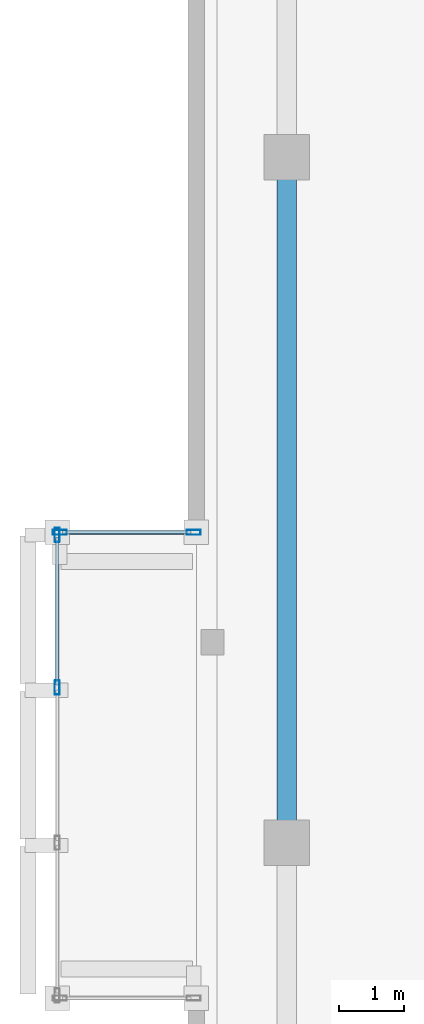
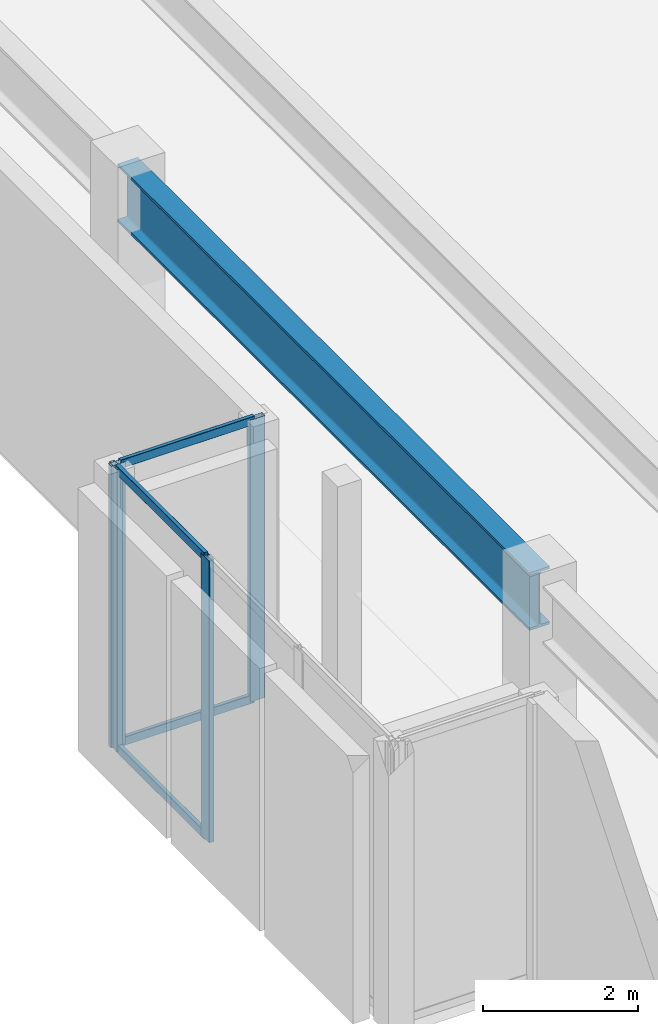
# One storey, part 4 of 16: 8 members, 1 beam, 2 elements without a shape of their own.
"""IFC4 building model written with IfcOpenShell, lengths in metres."""

from ifc_helpers import new_model, si_unit, direction, frame, origin, origin_2d, place, context, subcontext, project, spatial, hollow_rectangle, i_section, extrude, material, layer, layer_set, material_profile, profile_set, type_object, element, aggregate, save


model = new_model("IFC4")

# Units and contexts
model_context = context("Model", 3, precision=1e-05, world=origin(), true_north=direction((0.0, 1.0)))
body_context = subcontext(model_context, "Body", "Model", "MODEL_VIEW")
ifc_project = project(units=[si_unit("LENGTHUNIT", "METRE"), si_unit("AREAUNIT", "SQUARE_METRE"), si_unit("VOLUMEUNIT", "CUBIC_METRE"), si_unit("PLANEANGLEUNIT", "RADIAN"), si_unit("MASSUNIT", "GRAM", prefix="KILO")], contexts=[model_context])

# Site, building, storey
site_placement = place(None, origin())
site = spatial("IfcSite", under=ifc_project, at=site_placement, CompositionType="ELEMENT")
building_placement = place(site_placement, origin())
building = spatial("IfcBuilding", under=site, at=building_placement, Name="An Khanh Terracotta Commons", CompositionType="ELEMENT")
storey_placement = place(building_placement, frame((0.0, 0.0, 5.39990234375)))
storey = spatial("IfcBuildingStorey", under=building, at=storey_placement, Name="L02", CompositionType="ELEMENT", Elevation=5.39990234375)

# Beam
ifc_material_1 = material(Name="Steel S460ML", Category="steel")
ifc_material_profile_1 = material_profile(ifc_material_1, i_section(OverallWidth=0.302001953125, OverallDepth=0.909912109375, WebThickness=0.02099609375, FlangeThickness=0.0400390625, FilletRadius=0.030029296875, at=origin_2d()), Name="HEM900")
ifc_profile_set_1 = profile_set([ifc_material_profile_1], Name="Steel S460ML")
beam_type = type_object("IfcBeamType", Name="BM-HEM900", PredefinedType="BEAM", material=ifc_profile_set_1)
beam_placement = place(storey_placement, frame((3.0, 14.39990234375, 3.97509765625), z_axis=(0.0, 1.0, 0.0), x_axis=(-1.0, 0.0, 0.0)))
element("IfcBeam", 1, at=beam_placement, inside=storey, type_object=beam_type, Name="L02 Primary Podium Girder 2", PredefinedType="BEAM", context=body_context, shape_type="SweptSolid", body=[
    extrude(i_section(OverallWidth=0.302001953125, OverallDepth=0.909912109375, WebThickness=0.02099609375, FlangeThickness=0.0400390625, FilletRadius=0.030029296875, at=origin_2d()), origin(), (0.0, 0.0, 1.0), 10.60009765625),
])

# Curtain wall, members
ifc_material_2 = material(Name="Anodised Aluminium 6063-T6", Category="aluminium")
ifc_layer = layer(ifc_material_2, 0.239990234375, Name="Anodised Aluminium 6063-T6")
ifc_layer_set = layer_set([ifc_layer], Name="Anodised Aluminium 6063-T6")
curtain_wall_type = type_object("IfcCurtainWallType", Name="CW-SYS-04", PredefinedType="USERDEFINED", material=ifc_layer_set)
curtain_wall_1_placement = place(storey_placement, origin())
curtain_wall_1 = element("IfcCurtainWall", 2, at=curtain_wall_1_placement, inside=storey, type_object=curtain_wall_type, Name="L02 CW-04 Unitised Curtain Wall CW-L02-WBOX-1", ObjectType="UNITISED CURTAIN WALL", PredefinedType="USERDEFINED")
ifc_material_profile_2 = material_profile(ifc_material_2, hollow_rectangle(XDim=0.080078125, YDim=0.219970703125, WallThickness=0.0048828125, InnerFilletRadius=0.0048828125, OuterFilletRadius=0.010009765625, at=origin_2d()), Name="RHS220x80x5")
ifc_profile_set_2 = profile_set([ifc_material_profile_2], Name="Anodised Aluminium 6063-T6")
member_type_1 = type_object("IfcMemberType", Name="CWM-RHS220x80x5", PredefinedType="MULLION", material=ifc_profile_set_2)
member_1_placement = place(storey_placement, frame((-0.550048828125, 19.159912109375, 0.0), z_axis=(0.0, 0.0, 1.0), x_axis=(1.0, 0.0, 0.0)))
member_1 = element("IfcMember", 3, at=member_1_placement, type_object=member_type_1, Name="CW-04 mullion 1", PredefinedType="MULLION", context=body_context, shape_type="SweptSolid", body=[
    extrude(hollow_rectangle(XDim=0.080078125, YDim=0.219970703125, WallThickness=0.0048828125, InnerFilletRadius=0.0048828125, OuterFilletRadius=0.010009765625, at=origin_2d()), origin(), (0.0, 0.0, 1.0), 4.43017578125),
])
member_2_placement = place(storey_placement, frame((-0.550048828125, 16.800048828125, 0.0), z_axis=(0.0, 0.0, 1.0), x_axis=(1.0, 0.0, 0.0)))
member_2 = element("IfcMember", 4, at=member_2_placement, type_object=member_type_1, Name="CW-04 mullion 2", PredefinedType="MULLION", context=body_context, shape_type="SweptSolid", body=[
    extrude(hollow_rectangle(XDim=0.080078125, YDim=0.219970703125, WallThickness=0.0048828125, InnerFilletRadius=0.0048828125, OuterFilletRadius=0.010009765625, at=origin_2d()), origin(), (0.0, 0.0, 1.0), 4.43017578125),
])

curtain_wall_2_placement = place(storey_placement, origin())
curtain_wall_2 = element("IfcCurtainWall", 5, at=curtain_wall_2_placement, inside=storey, type_object=curtain_wall_type, Name="L02 CW-04 Unitised Curtain Wall CW-L02-WBOX-3", ObjectType="UNITISED CURTAIN WALL", PredefinedType="USERDEFINED")
member_3_placement = place(storey_placement, frame((-0.510009765625, 19.199951171875, 0.0), z_axis=(0.0, 0.0, 1.0), x_axis=(0.0, 1.0, 0.0)))
member_3 = element("IfcMember", 6, at=member_3_placement, type_object=member_type_1, Name="CW-04 mullion 1", PredefinedType="MULLION", context=body_context, shape_type="SweptSolid", body=[
    extrude(hollow_rectangle(XDim=0.080078125, YDim=0.219970703125, WallThickness=0.0048828125, InnerFilletRadius=0.0048828125, OuterFilletRadius=0.010009765625, at=origin_2d()), origin(), (0.0, 0.0, 1.0), 4.43017578125),
])
member_4_placement = place(storey_placement, frame((1.56005859375, 19.199951171875, 0.0), z_axis=(0.0, 0.0, 1.0), x_axis=(0.0, 1.0, 0.0)))
member_4 = element("IfcMember", 7, at=member_4_placement, type_object=member_type_1, Name="CW-04 mullion 2", PredefinedType="MULLION", context=body_context, shape_type="SweptSolid", body=[
    extrude(hollow_rectangle(XDim=0.080078125, YDim=0.219970703125, WallThickness=0.0048828125, InnerFilletRadius=0.0048828125, OuterFilletRadius=0.010009765625, at=origin_2d()), origin(), (0.0, 0.0, 1.0), 4.43017578125),
])

# Member
ifc_material_profile_3 = material_profile(ifc_material_2, hollow_rectangle(XDim=0.06005859375, YDim=0.135009765625, WallThickness=0.003662109375, InnerFilletRadius=0.003662109375, OuterFilletRadius=0.007080078125, at=origin_2d()), Name="RHS135x60x3.6")
ifc_profile_set_3 = profile_set([ifc_material_profile_3], Name="Anodised Aluminium 6063-T6")
member_type_2 = type_object("IfcMemberType", Name="CWT-RHS135x60x3.6", PredefinedType="USERDEFINED", material=ifc_profile_set_3)
member_5_placement = place(storey_placement, frame((-0.550048828125, 19.1201171875, 0.030029296875), z_axis=(0.0, -1.0, 0.0), x_axis=(1.0, 0.0, 0.0)))
member_5 = element("IfcMember", 8, at=member_5_placement, type_object=member_type_2, Name="CW-04 transom 1.1", ObjectType="TRANSOM", PredefinedType="USERDEFINED", context=body_context, shape_type="SweptSolid", body=[
    extrude(hollow_rectangle(XDim=0.06005859375, YDim=0.135009765625, WallThickness=0.003662109375, InnerFilletRadius=0.003662109375, OuterFilletRadius=0.007080078125, at=origin_2d()), origin(), (0.0, 0.0, 1.0), 2.280029296875),
])

member_6_placement = place(storey_placement, frame((-0.550048828125, 19.1201171875, 4.400146484375), z_axis=(0.0, -1.0, 0.0), x_axis=(1.0, 0.0, 0.0)))
member_6 = element("IfcMember", 9, at=member_6_placement, type_object=member_type_2, Name="CW-04 transom 1.2", ObjectType="TRANSOM", PredefinedType="USERDEFINED", context=body_context, shape_type="SweptSolid", body=[
    extrude(hollow_rectangle(XDim=0.06005859375, YDim=0.135009765625, WallThickness=0.003662109375, InnerFilletRadius=0.003662109375, OuterFilletRadius=0.007080078125, at=origin_2d()), origin(), (0.0, 0.0, 1.0), 2.280029296875),
])

aggregate(curtain_wall_1, [member_1, member_2, member_5, member_6])

member_7_placement = place(storey_placement, frame((-0.469970703125, 19.199951171875, 0.030029296875), z_axis=(1.0, 0.0, 0.0), x_axis=(0.0, 1.0, 0.0)))
member_7 = element("IfcMember", 10, at=member_7_placement, type_object=member_type_2, Name="CW-04 transom 1.1", ObjectType="TRANSOM", PredefinedType="USERDEFINED", context=body_context, shape_type="SweptSolid", body=[
    extrude(hollow_rectangle(XDim=0.06005859375, YDim=0.135009765625, WallThickness=0.003662109375, InnerFilletRadius=0.003662109375, OuterFilletRadius=0.007080078125, at=origin_2d()), origin(), (0.0, 0.0, 1.0), 1.989990234375),
])

member_8_placement = place(storey_placement, frame((-0.469970703125, 19.199951171875, 4.400146484375), z_axis=(1.0, 0.0, 0.0), x_axis=(0.0, 1.0, 0.0)))
member_8 = element("IfcMember", 11, at=member_8_placement, type_object=member_type_2, Name="CW-04 transom 1.2", ObjectType="TRANSOM", PredefinedType="USERDEFINED", context=body_context, shape_type="SweptSolid", body=[
    extrude(hollow_rectangle(XDim=0.06005859375, YDim=0.135009765625, WallThickness=0.003662109375, InnerFilletRadius=0.003662109375, OuterFilletRadius=0.007080078125, at=origin_2d()), origin(), (0.0, 0.0, 1.0), 1.989990234375),
])

aggregate(curtain_wall_2, [member_3, member_4, member_7, member_8])

save(model, "model.ifc")
